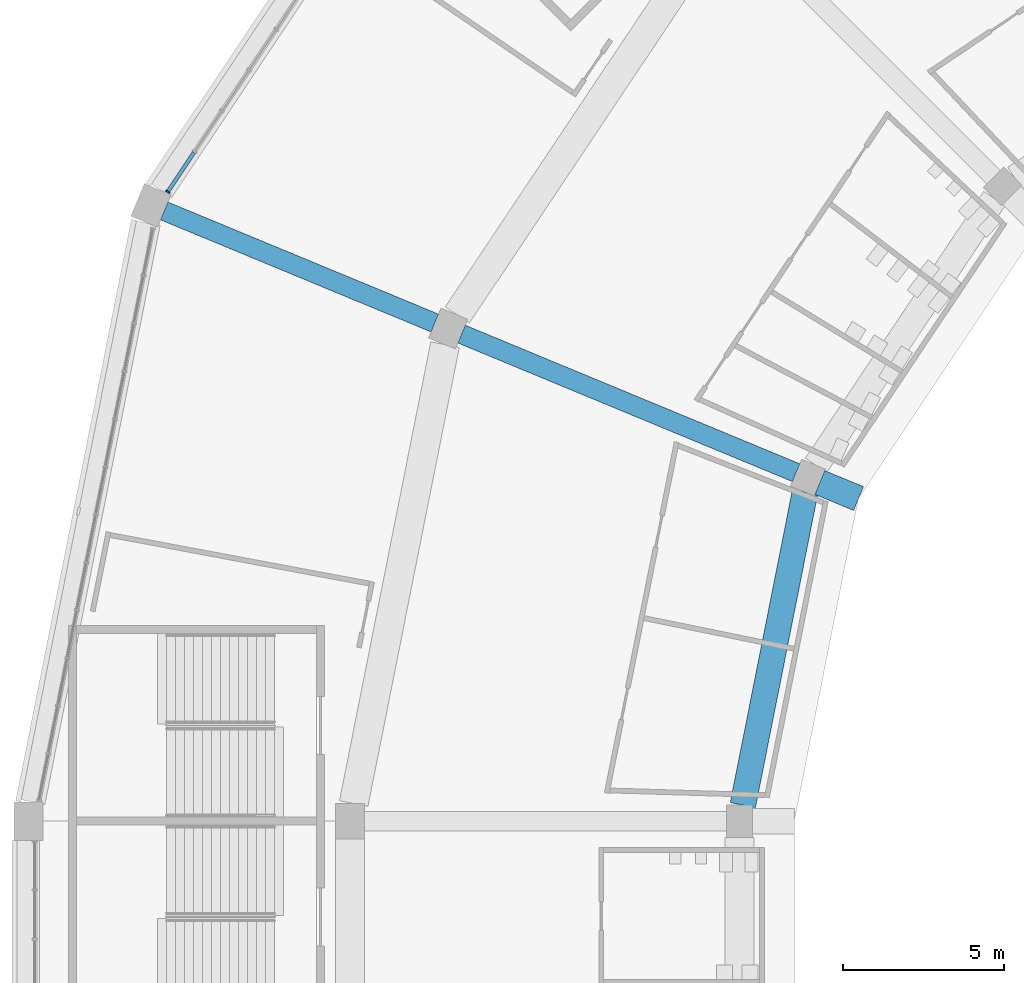
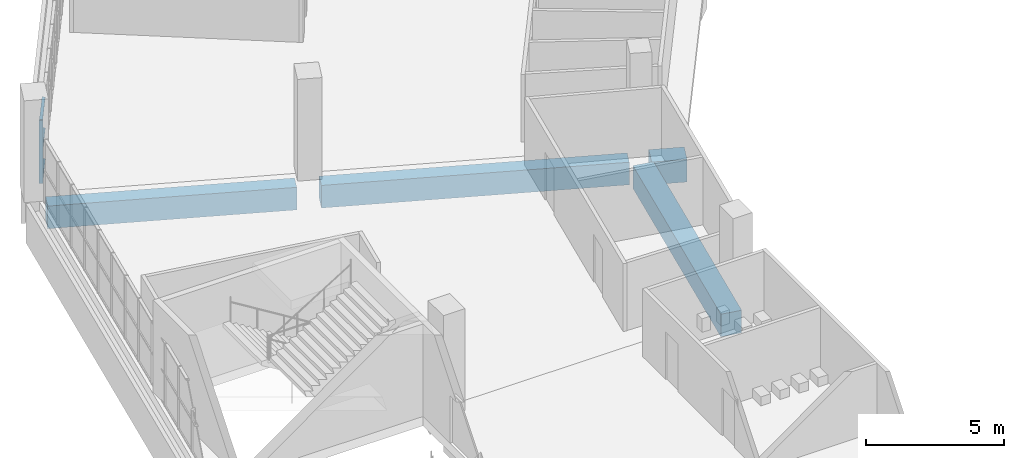
# One storey, part 37 of 199: 4 beams, 4 members, 1 element without a shape of its own.
"""IFC4 building model written with IfcOpenShell, lengths in metres."""

from ifc_helpers import new_model, si_unit, direction, frame, origin, origin_2d, place, context, subcontext, project, spatial, rectangle, extrude, material, material_profile, profile_set, type_object, element, aggregate, save


model = new_model("IFC4")

# Units and contexts
model_context = context("Model", 3, precision=1e-05, world=origin(), true_north=direction((0.0, 1.0)))
body_context = subcontext(model_context, "Body", "Model", "MODEL_VIEW")
ifc_project = project(units=[si_unit("LENGTHUNIT", "METRE"), si_unit("AREAUNIT", "SQUARE_METRE"), si_unit("VOLUMEUNIT", "CUBIC_METRE"), si_unit("PLANEANGLEUNIT", "RADIAN"), si_unit("MASSUNIT", "GRAM", prefix="KILO")], contexts=[model_context])

# Site, building, storey
site_placement = place(None, origin())
site = spatial("IfcSite", under=ifc_project, at=site_placement, CompositionType="ELEMENT")
building_placement = place(site_placement, origin())
building = spatial("IfcBuilding", under=site, at=building_placement, Name="Ogive Plaza Stadium", CompositionType="ELEMENT")
storey_placement = place(building_placement, frame((0.0, 0.0, 4.5)))
storey = spatial("IfcBuildingStorey", under=building, at=storey_placement, Name="L01", CompositionType="ELEMENT", Elevation=4.5)

# Curtain wall, members
ifc_material_1 = material(Name="Bronze-anodised aluminium with laminated glass", Category="aluminium")
curtain_wall_type = type_object("IfcCurtainWallType", Name="Lancet curtain wall", PredefinedType="NOTDEFINED", material=ifc_material_1)
curtain_wall_placement = place(storey_placement, origin())
curtain_wall = element("IfcCurtainWall", 1, at=curtain_wall_placement, inside=storey, type_object=curtain_wall_type, Name="CURTAIN WALL B29 L01", PredefinedType="NOTDEFINED")
ifc_material_2 = material(Name="Bronze-anodised aluminium", Category="aluminium")
ifc_material_profile_1 = material_profile(ifc_material_2, rectangle(XDim=0.14990234375, YDim=0.050048828125, at=origin_2d()), Name="AL 150x50")
ifc_profile_set_1 = profile_set([ifc_material_profile_1], Name="Bronze-anodised aluminium")
member_type_1 = type_object("IfcMemberType", Name="Curtain wall mullion 50x150", PredefinedType="MULLION", material=ifc_profile_set_1)
member_1_placement = place(storey_placement, frame((-79.669189453125, 72.059814453125, 0.0), z_axis=(0.0, 0.0, 1.0), x_axis=(-0.831469612303, 0.55557023302, 0.0)))
member_1 = element("IfcMember", 2, at=member_1_placement, type_object=member_type_1, Name="CW-B29-L01 mullion 1", PredefinedType="MULLION", context=body_context, shape_type="SweptSolid", body=[
    extrude(rectangle(XDim=0.14990234375, YDim=0.050048828125, at=origin_2d()), origin(), (0.0, 0.0, 1.0), 2.7900390625),
])
ifc_material_3 = material(Name="Bronze-anodised aluminium", Category="aluminium")
ifc_material_profile_2 = material_profile(ifc_material_3, rectangle(XDim=0.1201171875, YDim=0.050048828125, at=origin_2d()), Name="AL 120x50")
ifc_profile_set_2 = profile_set([ifc_material_profile_2], Name="Bronze-anodised aluminium")
member_type_2 = type_object("IfcMemberType", Name="Curtain wall transom 50x120", PredefinedType="USERDEFINED", material=ifc_profile_set_2)
member_2_placement = place(storey_placement, frame((-79.6552734375, 72.08056640625, 0.02490234375), z_axis=(0.555634077892, 0.831426948977, 0.0), x_axis=(-0.831426948977, 0.555634077892, 0.0)))
member_2 = element("IfcMember", 3, at=member_2_placement, type_object=member_type_2, Name="CW-B29-L01 transom 1.1", ObjectType="TRANSOM", PredefinedType="USERDEFINED", context=body_context, shape_type="SweptSolid", body=[
    extrude(rectangle(XDim=0.1201171875, YDim=0.050048828125, at=origin_2d()), origin(), (0.0, 0.0, 1.0), 1.447265625),
])
member_3_placement = place(storey_placement, frame((-79.6552734375, 72.08056640625, 1.39501953125), z_axis=(0.555634077892, 0.831426948977, 0.0), x_axis=(-0.831426948977, 0.555634077892, 0.0)))
member_3 = element("IfcMember", 4, at=member_3_placement, type_object=member_type_2, Name="CW-B29-L01 transom 1.2", ObjectType="TRANSOM", PredefinedType="USERDEFINED", context=body_context, shape_type="SweptSolid", body=[
    extrude(rectangle(XDim=0.1201171875, YDim=0.050048828125, at=origin_2d()), origin(), (0.0, 0.0, 1.0), 1.447265625),
])
member_4_placement = place(storey_placement, frame((-79.6552734375, 72.08056640625, 2.764892578125), z_axis=(0.555634077892, 0.831426948977, 0.0), x_axis=(-0.831426948977, 0.555634077892, 0.0)))
member_4 = element("IfcMember", 5, at=member_4_placement, type_object=member_type_2, Name="CW-B29-L01 transom 1.3", ObjectType="TRANSOM", PredefinedType="USERDEFINED", context=body_context, shape_type="SweptSolid", body=[
    extrude(rectangle(XDim=0.1201171875, YDim=0.050048828125, at=origin_2d()), origin(), (0.0, 0.0, 1.0), 1.447265625),
])
aggregate(curtain_wall, [member_1, member_2, member_3, member_4])

# Beams
ifc_material_4 = material(Name="Concrete C40/50", Category="concrete")
ifc_material_profile_3 = material_profile(ifc_material_4, rectangle(XDim=0.60009765625, YDim=1.0, at=origin_2d()), Name="RC 600x1000")
ifc_profile_set_3 = profile_set([ifc_material_profile_3], Name="Concrete C40/50")
beam_type_1 = type_object("IfcBeamType", Name="RC radial beam 600x1000", PredefinedType="BEAM", material=ifc_profile_set_3)
beam_1_placement = place(storey_placement, frame((-60.145751953125, 63.329833984375, -0.909912109375), z_axis=(-0.92388194159, 0.382677616283, 0.0), x_axis=(-0.382677616283, -0.92388194159, 0.0)))
element("IfcBeam", 6, at=beam_1_placement, inside=storey, type_object=beam_type_1, Name="Radial beam L01 R29 F3F4", PredefinedType="BEAM", context=body_context, shape_type="SweptSolid", body=[
    extrude(rectangle(XDim=0.60009765625, YDim=1.0, at=origin_2d()), origin(), (0.0, 0.0, 1.0), 11.250244140625),
])
beam_2_placement = place(storey_placement, frame((-71.370849609375, 67.9794921875, -0.909912109375), z_axis=(-0.923882116707, 0.382677193504, 0.0), x_axis=(-0.382677193504, -0.923882116707, 0.0)))
element("IfcBeam", 7, at=beam_2_placement, inside=storey, type_object=beam_type_1, Name="Radial beam L01 R29 F4F5", PredefinedType="BEAM", context=body_context, shape_type="SweptSolid", body=[
    extrude(rectangle(XDim=0.60009765625, YDim=1.0, at=origin_2d()), origin(), (0.0, 0.0, 1.0), 9.10009765625),
])
ifc_material_5 = material(Name="Concrete C40/50", Category="concrete")
ifc_material_profile_4 = material_profile(ifc_material_5, rectangle(XDim=0.800048828125, YDim=1.0, at=origin_2d()), Name="RC 800x1000")
ifc_profile_set_4 = profile_set([ifc_material_profile_4], Name="Concrete C40/50")
beam_type_2 = type_object("IfcBeamType", Name="RC radial beam 800x1000", PredefinedType="BEAM", material=ifc_profile_set_4)
beam_3_placement = place(storey_placement, frame((-58.20556640625, 62.5263671875, -0.909912109375), z_axis=(-0.923941315923, 0.382534239946, 0.0), x_axis=(-0.382534239946, -0.923941315923, 0.0)))
element("IfcBeam", 8, at=beam_3_placement, inside=storey, type_object=beam_type_2, Name="Raker tail beam LT R29", PredefinedType="BEAM", context=body_context, shape_type="SweptSolid", body=[
    extrude(rectangle(XDim=0.800048828125, YDim=1.0, at=origin_2d()), origin(), (0.0, 0.0, 1.0), 1.300048828125),
])
ifc_material_6 = material(Name="Concrete C40/50", Category="concrete")
ifc_material_profile_5 = material_profile(ifc_material_6, rectangle(XDim=0.800048828125, YDim=1.0, at=origin_2d()), Name="RC 800x1000")
ifc_profile_set_5 = profile_set([ifc_material_profile_5], Name="Concrete C40/50")
beam_type_3 = type_object("IfcBeamType", Name="RC ring beam 800x1000", PredefinedType="BEAM", material=ifc_profile_set_5)
beam_4_placement = place(storey_placement, frame((-61.800537109375, 53.0, -0.909912109375), z_axis=(0.195093456635, 0.980784656884, 0.0), x_axis=(-0.980784656884, 0.195093456635, 0.0)))
element("IfcBeam", 9, at=beam_4_placement, inside=storey, type_object=beam_type_3, Name="Ring beam F3 L01 B28", PredefinedType="BEAM", context=body_context, shape_type="SweptSolid", body=[
    extrude(rectangle(XDim=0.800048828125, YDim=1.0, at=origin_2d()), origin(), (0.0, 0.0, 1.0), 9.91748046875),
])

save(model, "model.ifc")
